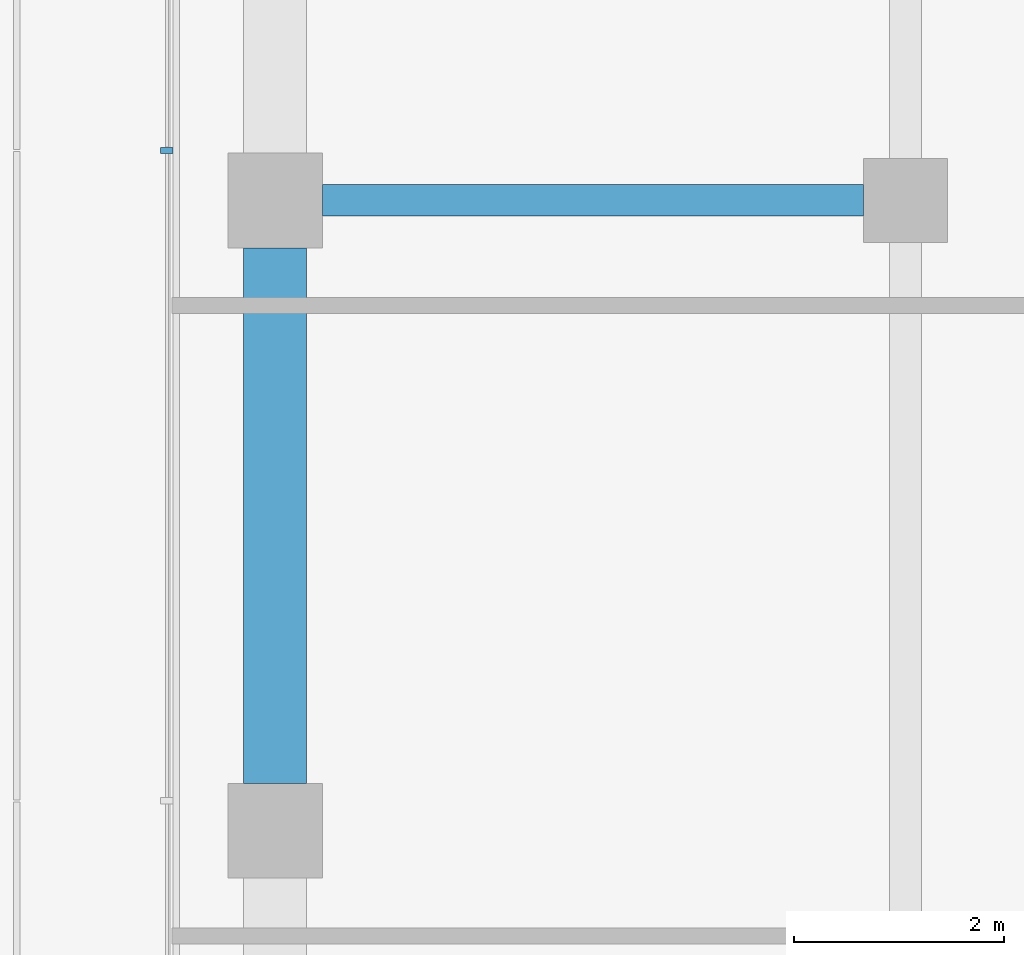
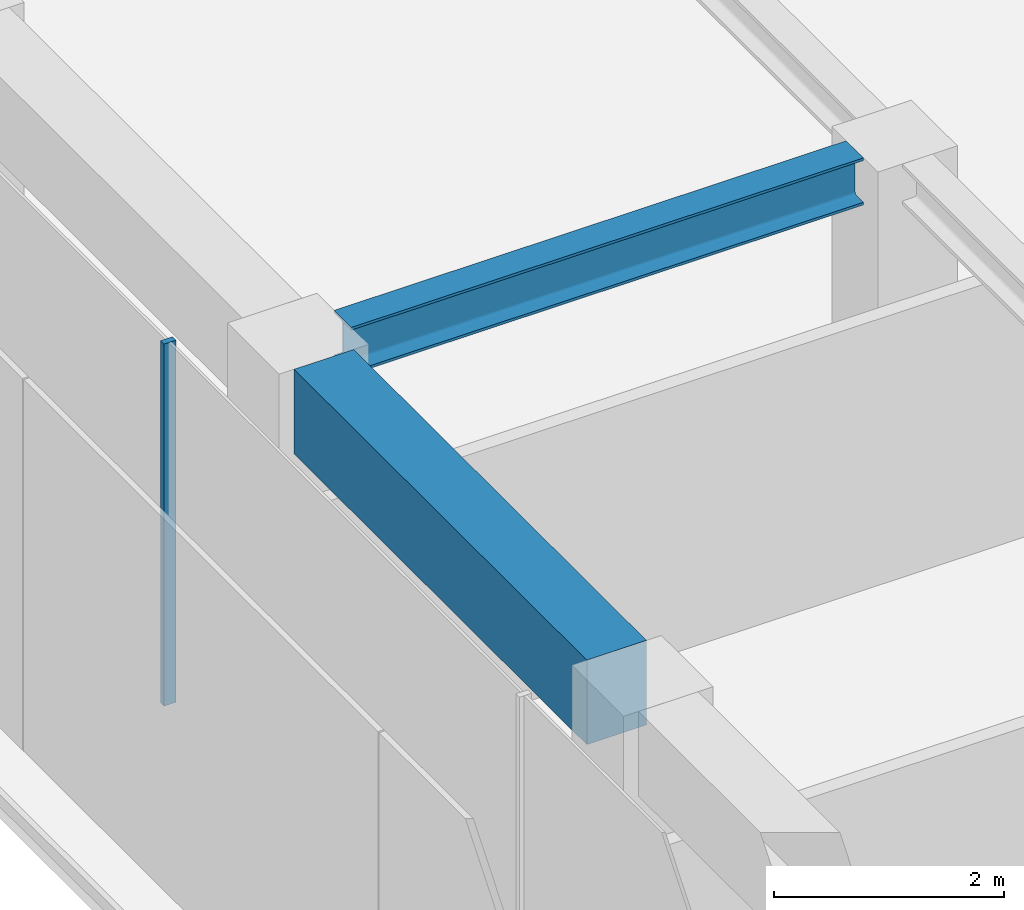
# One storey, part 12 of 24: 2 beams, 1 member, 1 element without a shape of its own.
"""IFC4 building model written with IfcOpenShell, lengths in metres."""

from ifc_helpers import new_model, si_unit, direction, frame, origin, origin_2d, place, context, subcontext, project, spatial, rectangle, i_section, extrude, material, layer, layer_set, material_profile, profile_set, type_object, element, aggregate, save


model = new_model("IFC4")

# Units and contexts
model_context = context("Model", 3, precision=1e-05, world=origin(), true_north=direction((0.0, 1.0)))
body_context = subcontext(model_context, "Body", "Model", "MODEL_VIEW")
ifc_project = project(units=[si_unit("LENGTHUNIT", "METRE"), si_unit("AREAUNIT", "SQUARE_METRE"), si_unit("VOLUMEUNIT", "CUBIC_METRE"), si_unit("PLANEANGLEUNIT", "RADIAN"), si_unit("MASSUNIT", "GRAM", prefix="KILO")], contexts=[model_context])

# Site, building, storey
site_placement = place(None, origin())
site = spatial("IfcSite", under=ifc_project, at=site_placement, CompositionType="ELEMENT")
building_placement = place(site_placement, origin())
building = spatial("IfcBuilding", under=site, at=building_placement, Name="Welwitschia Terrace Campus", CompositionType="ELEMENT")
storey_placement = place(building_placement, frame((0.0, 0.0, 125.60009765625)))
storey = spatial("IfcBuildingStorey", under=building, at=storey_placement, Name="L28", CompositionType="ELEMENT", Elevation=125.60009765625)

# Curtain wall, member
ifc_material_1 = material(Name="Bronze anodised aluminium", Category="aluminium")
ifc_layer = layer(ifc_material_1, 0.1201171875)
ifc_layer_set = layer_set([ifc_layer], Name="Bronze anodised aluminium")
curtain_wall_type = type_object("IfcCurtainWallType", Name="Curtain wall CW2 tower 6000", PredefinedType="NOTDEFINED", material=ifc_layer_set)
curtain_wall_placement = place(storey_placement, origin())
curtain_wall = element("IfcCurtainWall", 1, at=curtain_wall_placement, inside=storey, type_object=curtain_wall_type, Name="CW L28.12.0", PredefinedType="NOTDEFINED")
ifc_material_2 = material(Name="Bronze anodised aluminium", Category="aluminium")
ifc_material_profile_1 = material_profile(ifc_material_2, rectangle(XDim=0.1201171875, YDim=0.06005859375, at=origin_2d()))
ifc_profile_set_1 = profile_set([ifc_material_profile_1], Name="Bronze anodised aluminium")
member_type = type_object("IfcMemberType", Name="Mullion 60x120", PredefinedType="MULLION", material=ifc_profile_set_1)
member_placement = place(storey_placement, frame((-1.030029296875, 52.4765625, 0.0), z_axis=(0.0, 0.0, 1.0), x_axis=(1.0, 0.0, 0.0)))
member = element("IfcMember", 2, at=member_placement, type_object=member_type, Name="Mullion L28.12.0.3", PredefinedType="MULLION", context=body_context, shape_type="SweptSolid", body=[
    extrude(rectangle(XDim=0.1201171875, YDim=0.06005859375, at=origin_2d()), origin(), (0.0, 0.0, 1.0), 3.849853515625),
])
aggregate(curtain_wall, [member])

# Beams
ifc_material_3 = material(Name="Steel S355", Category="steel")
ifc_material_profile_2 = material_profile(ifc_material_3, i_section(OverallWidth=0.300048828125, OverallDepth=0.5, WebThickness=0.014404296875, FlangeThickness=0.028076171875, FilletRadius=0.027099609375, at=origin_2d()))
ifc_profile_set_2 = profile_set([ifc_material_profile_2], Name="Steel S355")
beam_type_1 = type_object("IfcBeamType", Name="Primary beam HE 500 B", PredefinedType="BEAM", material=ifc_profile_set_2)
beam_1_placement = place(storey_placement, frame((0.450439453125, 52.0, 3.599853515625), z_axis=(1.0, 0.0, 0.0), x_axis=(0.0, 1.0, 0.0)))
element("IfcBeam", 3, at=beam_1_placement, inside=storey, type_object=beam_type_1, Name="Primary beam PB3", PredefinedType="BEAM", context=body_context, shape_type="SweptSolid", body=[
    extrude(i_section(OverallWidth=0.300048828125, OverallDepth=0.5, WebThickness=0.014404296875, FlangeThickness=0.028076171875, FilletRadius=0.027099609375, at=origin_2d()), origin(), (0.0, 0.0, 1.0), 5.149169921875),
])
ifc_material_4 = material(Name="Concrete C60/75", Category="concrete")
ifc_material_profile_3 = material_profile(ifc_material_4, rectangle(XDim=0.60009765625, YDim=0.89990234375, at=origin_2d()))
ifc_profile_set_3 = profile_set([ifc_material_profile_3], Name="Concrete C60/75")
beam_type_2 = type_object("IfcBeamType", Name="Ring spandrel 600x900", PredefinedType="SPANDREL", material=ifc_profile_set_3)
beam_2_placement = place(storey_placement, frame((0.0, 51.549560546875, 3.39990234375), z_axis=(0.0, -1.0, 0.0), x_axis=(1.0, 0.0, 0.0)))
element("IfcBeam", 4, at=beam_2_placement, inside=storey, type_object=beam_type_2, Name="Spandrel SP2", PredefinedType="SPANDREL", context=body_context, shape_type="SweptSolid", body=[
    extrude(rectangle(XDim=0.60009765625, YDim=0.89990234375, at=origin_2d()), origin(), (0.0, 0.0, 1.0), 5.09912109375),
])

save(model, "model.ifc")
